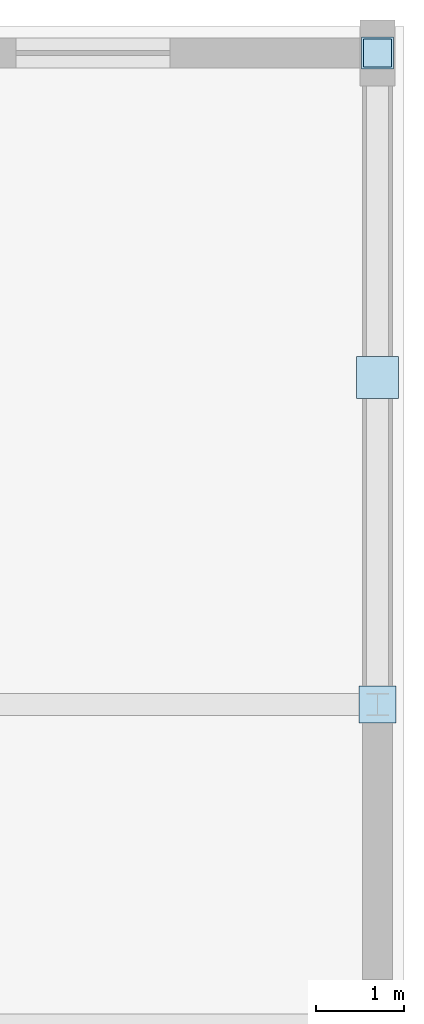
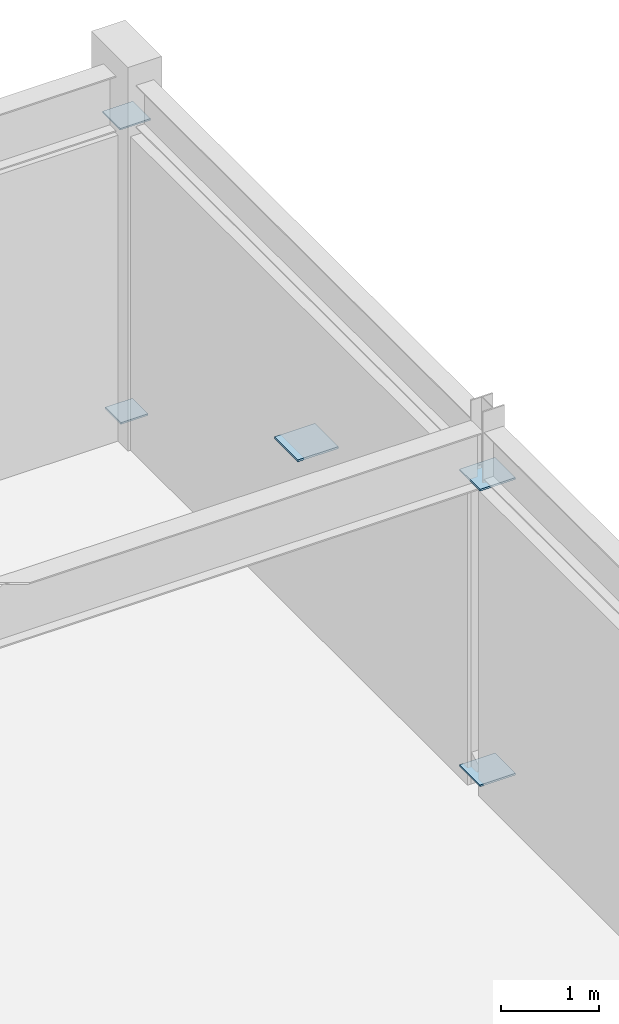
# One storey, part 102 of 144: 5 plates.
"""IFC4 building model written with IfcOpenShell, lengths in metres."""

from ifc_helpers import new_model, si_unit, direction, frame, origin, origin_2d, place, context, subcontext, project, spatial, rectangle, extrude, material, layer, layer_set, type_object, element, save


model = new_model("IFC4")

# Units and contexts
model_context = context("Model", 3, precision=1e-05, world=origin(), true_north=direction((0.0, 1.0)))
body_context = subcontext(model_context, "Body", "Model", "MODEL_VIEW")
ifc_project = project(units=[si_unit("LENGTHUNIT", "METRE"), si_unit("AREAUNIT", "SQUARE_METRE"), si_unit("VOLUMEUNIT", "CUBIC_METRE"), si_unit("PLANEANGLEUNIT", "RADIAN"), si_unit("MASSUNIT", "GRAM", prefix="KILO")], contexts=[model_context])

# Site, building, storey
site_placement = place(None, origin())
site = spatial("IfcSite", under=ifc_project, at=site_placement, CompositionType="ELEMENT")
building_placement = place(site_placement, origin())
building = spatial("IfcBuilding", under=site, at=building_placement, Name="Cinderbank Siding Concert Hall", CompositionType="ELEMENT")
storey_placement = place(building_placement, frame((0.0, 0.0, 5.39990234375)))
storey = spatial("IfcBuildingStorey", under=building, at=storey_placement, Name="L02", CompositionType="ELEMENT", Elevation=5.39990234375)

# Plates
ifc_material = material(Name="Structural steel welded plate section AS/NZS 3679.2 / AS/NZS 3678 Grade 350 (340 MPa)", Category="steel")
ifc_layer_1 = layer(ifc_material, 0.02490234375)
ifc_layer_set_1 = layer_set([ifc_layer_1], Name="Structural steel welded plate section AS/NZS 3679.2 / AS/NZS 3678 Grade 350 (340 MPa)")
plate_type_1 = type_object("IfcPlateType", Name="GP-01 Steel Gusset Cap Plate 480x480x25", PredefinedType="SHEET", material=ifc_layer_set_1)
plate_1_placement = place(storey_placement, frame((172.89990234375, 114.21337890625, 2.031005859375), z_axis=(0.0, 0.0, 1.0), x_axis=(0.0, -1.0, 0.0)))
element("IfcPlate", 1, at=plate_1_placement, inside=storey, type_object=plate_type_1, Name="L02 Steel Node Gusset Plate GP-01 #1376", PredefinedType="SHEET", context=body_context, shape_type="SweptSolid", body=[
    extrude(rectangle(XDim=0.47998046875, YDim=0.47998046875, at=origin_2d()), origin(), (0.0, 0.0, 1.0), 0.02490234375),
])
ifc_layer_2 = layer(ifc_material, 0.02197265625)
ifc_layer_set_2 = layer_set([ifc_layer_2], Name="Structural steel welded plate section AS/NZS 3679.2 / AS/NZS 3678 Grade 350 (340 MPa)")
plate_type_2 = type_object("IfcPlateType", Name="GP-02 Steel Gusset Cap Plate 420x420x22", PredefinedType="SHEET", material=ifc_layer_set_2)
for number, where, z_axis, x_axis, name in (
    (2, (172.89990234375, 110.5, 0.189208984375), (0.0, 0.0, 1.0), (0.0, 1.0, 0.0), "L02 Steel Node Gusset Plate GP-02 #1373"),
    (3, (172.89990234375, 110.5, 3.88916015625), (0.0, 0.0, 1.0), (0.0, -1.0, 0.0), "L02 Steel Node Gusset Plate GP-02 #1377"),
):
    element("IfcPlate", number, at=place(storey_placement, frame(where, z_axis=z_axis, x_axis=x_axis)), inside=storey, type_object=plate_type_2, Name=name, PredefinedType="SHEET", context=body_context, shape_type="SweptSolid", body=[
        extrude(rectangle(XDim=0.419921875, YDim=0.419921875, at=origin_2d()), origin(), (0.0, 0.0, 1.0), 0.02197265625),
    ])
ifc_layer_3 = layer(ifc_material, 0.02001953125)
ifc_layer_set_3 = layer_set([ifc_layer_3], Name="Structural steel welded plate section AS/NZS 3679.2 / AS/NZS 3678 Grade 350 (340 MPa)")
plate_type_3 = type_object("IfcPlateType", Name="GP-03 Steel Gusset Cap Plate 360x360x20", PredefinedType="SHEET", material=ifc_layer_set_3)
plate_2_placement = place(storey_placement, frame((172.89990234375, 117.89990234375, 3.89013671875), z_axis=(0.0, 0.0, 1.0), x_axis=(0.0, 1.0, 0.0)))
element("IfcPlate", 4, at=plate_2_placement, inside=storey, type_object=plate_type_3, Name="L02 Steel Node Gusset Plate GP-03 #1374", PredefinedType="SHEET", context=body_context, shape_type="SweptSolid", body=[
    extrude(rectangle(XDim=0.360107421875, YDim=0.360107421875, at=origin_2d()), origin(), (0.0, 0.0, 1.0), 0.02001953125),
])
ifc_layer_4 = layer(ifc_material, 0.02099609375)
ifc_layer_set_4 = layer_set([ifc_layer_4], Name="Structural steel welded plate section AS/NZS 3679.2 / AS/NZS 3678 Grade 350 (340 MPa)")
plate_type_4 = type_object("IfcPlateType", Name="GP-04 Steel Gusset Cap Plate 320x320x21", PredefinedType="SHEET", material=ifc_layer_set_4)
plate_3_placement = place(storey_placement, frame((172.89990234375, 117.89990234375, 0.189697265625), z_axis=(0.0, 0.0, 1.0), x_axis=(0.0, -1.0, 0.0)))
element("IfcPlate", 5, at=plate_3_placement, inside=storey, type_object=plate_type_4, Name="L02 Steel Node Gusset Plate GP-04 #1375", PredefinedType="SHEET", context=body_context, shape_type="SweptSolid", body=[
    extrude(rectangle(XDim=0.320068359375, YDim=0.320068359375, at=origin_2d()), origin(), (0.0, 0.0, 1.0), 0.02099609375),
])

save(model, "model.ifc")
